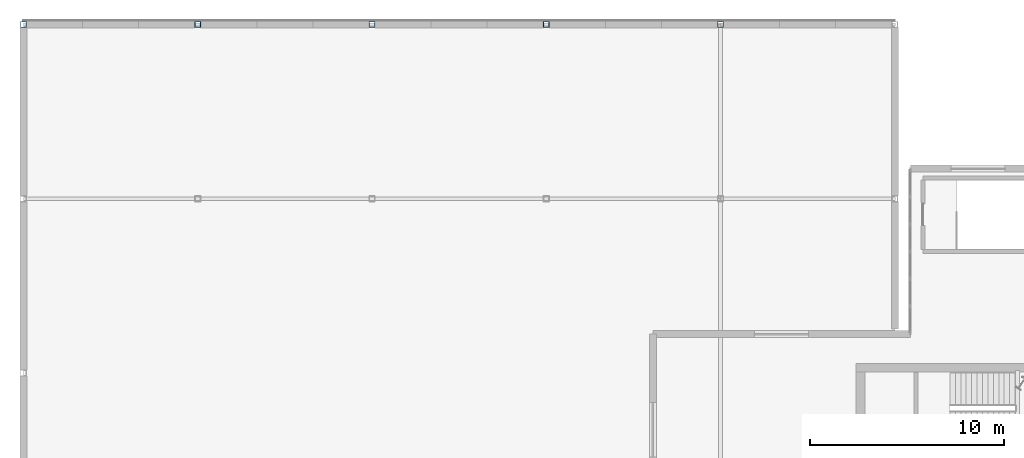
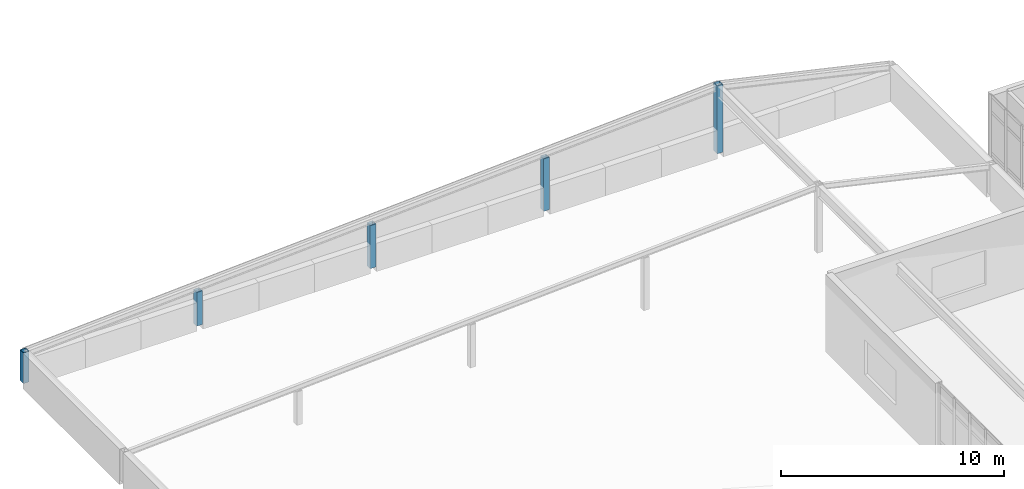
# One storey, part 8 of 48: 5 columns.
"""IFC4 building model written with IfcOpenShell, lengths in metres."""

from ifc_helpers import new_model, si_unit, direction, frame, origin, origin_2d, place, context, subcontext, project, spatial, hollow_rectangle, extrude, material, material_profile, profile_set, type_object, element, save


model = new_model("IFC4")

# Units and contexts
model_context = context("Model", 3, precision=1e-05, world=origin(), true_north=direction((0.0, 1.0)))
body_context = subcontext(model_context, "Body", "Model", "MODEL_VIEW")
ifc_project = project(units=[si_unit("LENGTHUNIT", "METRE"), si_unit("AREAUNIT", "SQUARE_METRE"), si_unit("VOLUMEUNIT", "CUBIC_METRE"), si_unit("PLANEANGLEUNIT", "RADIAN"), si_unit("MASSUNIT", "GRAM", prefix="KILO")], contexts=[model_context])

# Site, building, storey
site_placement = place(None, origin())
site = spatial("IfcSite", under=ifc_project, at=site_placement, CompositionType="ELEMENT")
building_placement = place(site_placement, origin())
building = spatial("IfcBuilding", under=site, at=building_placement, Name="Glasvene Arena", CompositionType="ELEMENT")
storey_placement = place(building_placement, frame((0.0, 0.0, 19.5)))
storey = spatial("IfcBuildingStorey", under=building, at=storey_placement, Name="L04", CompositionType="ELEMENT", Elevation=19.5)

# Columns
ifc_material = material(Name="Steel S355J2", Category="steel")
ifc_material_profile = material_profile(ifc_material, hollow_rectangle(XDim=0.300048828125, YDim=0.300048828125, WallThickness=0.012451171875, at=origin_2d()), Name="SHS 300x300x12.5")
ifc_profile_set = profile_set([ifc_material_profile], Name="Steel S355J2")
column_type = type_object("IfcColumnType", Name="COL-W-SHS300", PredefinedType="COLUMN", material=ifc_profile_set)
column_1_placement = place(storey_placement, frame((0.0, 118.0, 0.0), z_axis=(0.0, 0.0, 1.0), x_axis=(1.0, 0.0, 0.0)))
element("IfcColumn", 1, at=column_1_placement, inside=storey, type_object=column_type, Name="Wing roof eave post V4-W-13", PredefinedType="COLUMN", context=body_context, shape_type="SweptSolid", body=[
    extrude(hollow_rectangle(XDim=0.300048828125, YDim=0.300048828125, WallThickness=0.012451171875, at=origin_2d()), origin(), (0.0, 0.0, 1.0), 1.68994140625),
])
column_2_placement = place(storey_placement, frame((36.0, 118.0, 0.0), z_axis=(0.0, 0.0, 1.0), x_axis=(1.0, 0.0, 0.0)))
element("IfcColumn", 2, at=column_2_placement, inside=storey, type_object=column_type, Name="Wing roof ridge post V4-13", PredefinedType="COLUMN", context=body_context, shape_type="SweptSolid", body=[
    extrude(hollow_rectangle(XDim=0.300048828125, YDim=0.300048828125, WallThickness=0.012451171875, at=origin_2d()), origin(), (0.0, 0.0, 1.0), 3.739990234375),
])
column_3_placement = place(storey_placement, frame((9.0, 118.0, 0.0), z_axis=(0.0, 0.0, 1.0), x_axis=(1.0, 0.0, 0.0)))
element("IfcColumn", 3, at=column_3_placement, inside=storey, type_object=column_type, Name="Wing roof rafter post V4-GN-1", PredefinedType="COLUMN", context=body_context, shape_type="SweptSolid", body=[
    extrude(hollow_rectangle(XDim=0.300048828125, YDim=0.300048828125, WallThickness=0.012451171875, at=origin_2d()), origin(), (0.0, 0.0, 1.0), 1.850830078125),
])
column_4_placement = place(storey_placement, frame((18.0, 118.0, 0.0), z_axis=(0.0, 0.0, 1.0), x_axis=(1.0, 0.0, 0.0)))
element("IfcColumn", 4, at=column_4_placement, inside=storey, type_object=column_type, Name="Wing roof rafter post V4-GN-2", PredefinedType="COLUMN", context=body_context, shape_type="SweptSolid", body=[
    extrude(hollow_rectangle(XDim=0.300048828125, YDim=0.300048828125, WallThickness=0.012451171875, at=origin_2d()), origin(), (0.0, 0.0, 1.0), 2.36328125),
])
column_5_placement = place(storey_placement, frame((27.0, 118.0, 0.0), z_axis=(0.0, 0.0, 1.0), x_axis=(1.0, 0.0, 0.0)))
element("IfcColumn", 5, at=column_5_placement, inside=storey, type_object=column_type, Name="Wing roof rafter post V4-GN-3", PredefinedType="COLUMN", context=body_context, shape_type="SweptSolid", body=[
    extrude(hollow_rectangle(XDim=0.300048828125, YDim=0.300048828125, WallThickness=0.012451171875, at=origin_2d()), origin(), (0.0, 0.0, 1.0), 2.875732421875),
])

save(model, "model.ifc")
